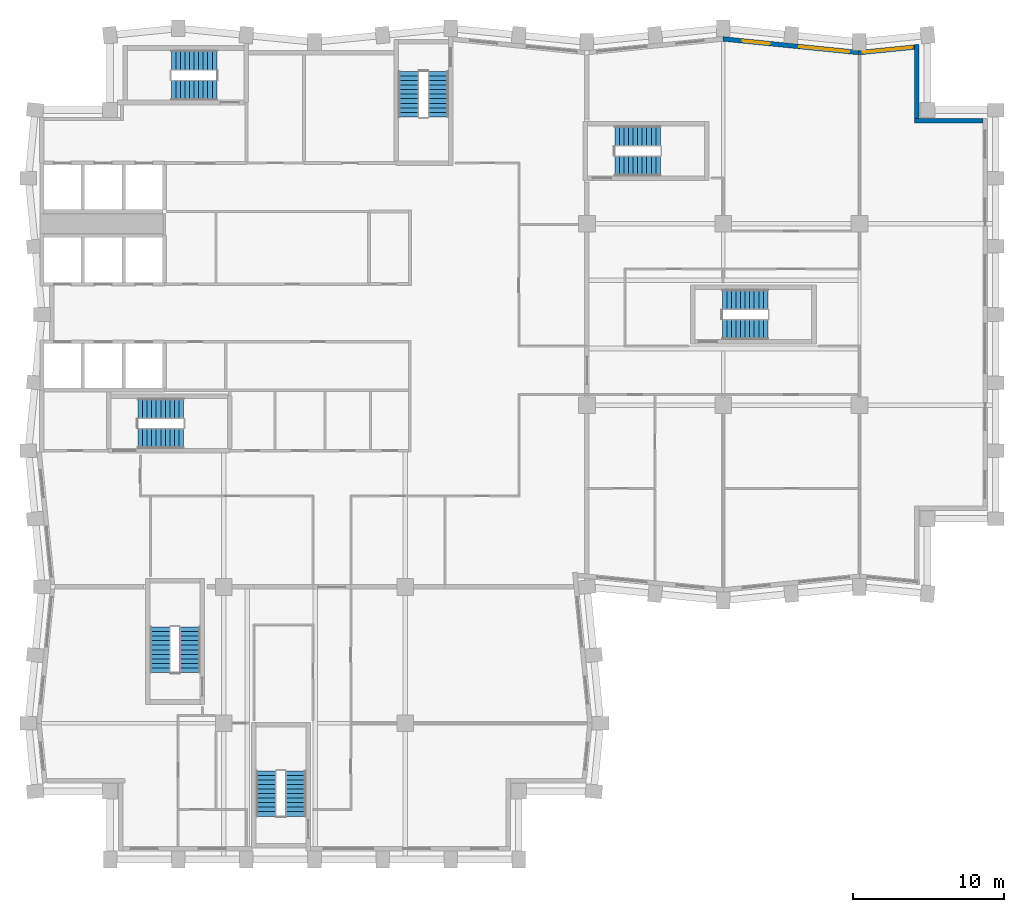
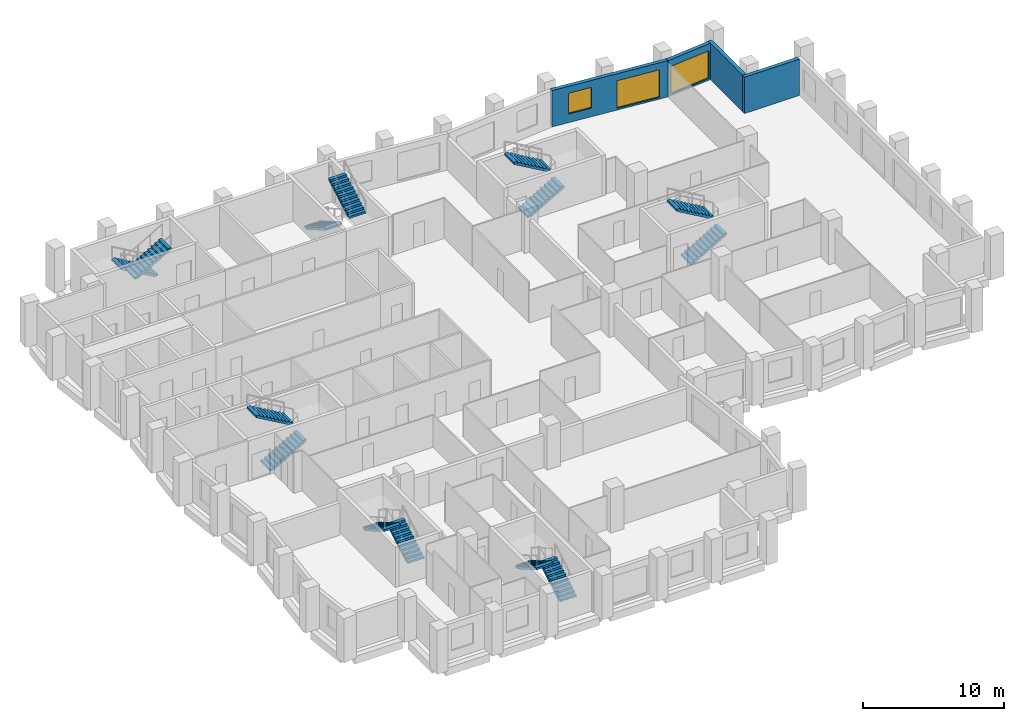
# One storey, part 8 of 10: 14 stair flights, 4 walls, 3 windows, 3 openings, 7 elements without a shape of their own.
"""IFC4 building model written with IfcOpenShell, lengths in metres."""

from ifc_helpers import new_model, si_unit, direction, frame, frame_2d, origin, place, context, subcontext, project, spatial, polyline, rectangle, outline, extrude, material, layer, layer_set, type_object, element, fill, aggregate, save


model = new_model("IFC4")

# Units and contexts
model_context = context("Model", 3, precision=1e-05, world=origin(), true_north=direction((0.0, 1.0)))
body_context = subcontext(model_context, "Body", "Model", "MODEL_VIEW")
ifc_project = project(units=[si_unit("LENGTHUNIT", "METRE"), si_unit("AREAUNIT", "SQUARE_METRE"), si_unit("VOLUMEUNIT", "CUBIC_METRE"), si_unit("PLANEANGLEUNIT", "RADIAN"), si_unit("MASSUNIT", "GRAM", prefix="KILO")], contexts=[model_context])

# Site, building, storey
site_placement = place(None, origin())
site = spatial("IfcSite", under=ifc_project, at=site_placement, CompositionType="ELEMENT")
building_placement = place(site_placement, origin())
building = spatial("IfcBuilding", under=site, at=building_placement, Name="Brondeck Convention Tower", CompositionType="ELEMENT")
storey_placement = place(building_placement, frame((0.0, 0.0, 166.199951171875)))
storey = spatial("IfcBuildingStorey", under=building, at=storey_placement, Name="L40", CompositionType="ELEMENT", Elevation=166.199951171875)

# Walls
ifc_material_1 = material(Name="Precast concrete C50/60 bronze finish", Category="concrete")
ifc_layer_1 = layer(ifc_material_1, 0.070068359375, Name="Bronze precast facing")
ifc_material_2 = material(Name="Mineral wool")
ifc_layer_2 = layer(ifc_material_2, 0.159912109375, Name="Insulation")
ifc_material_3 = material(Name="Concrete C35/45", Category="concrete")
ifc_layer_3 = layer(ifc_material_3, 0.070068359375, Name="Backing")
ifc_layer_set = layer_set([ifc_layer_1, ifc_layer_2, ifc_layer_3], Name="External infill wall, precast concrete C50/60 bronze facing")
wall_type = type_object("IfcWallType", Name="External infill wall, precast concrete C50/60 bronze facing", PredefinedType="SOLIDWALL", material=ifc_layer_set)
wall_1_placement = place(storey_placement, frame((57.64990234375, 57.800048828125, 0.0), z_axis=(0.0, 0.0, 1.0), x_axis=(1.0, 0.0, 0.0)))
element("IfcWall", 1, at=wall_1_placement, inside=storey, type_object=wall_type, Name="ENV-EW-L40-P1-NC-NEA63-01", PredefinedType="SOLIDWALL", context=body_context, shape_type="SweptSolid", body=[
    extrude(rectangle(XDim=4.502197265625, YDim=0.300048828125, at=frame_2d((2.2509765625, 0.0))), origin(), (0.0, 0.0, 1.0), 3.150146484375),
])
wall_2_placement = place(storey_placement, frame((57.800048828125, 62.84228515625, 0.0), z_axis=(0.0, 0.0, 1.0), x_axis=(0.0, -1.0, 0.0)))
element("IfcWall", 2, at=wall_2_placement, inside=storey, type_object=wall_type, Name="ENV-EW-L40-P1-NC-NEA63-02", PredefinedType="SOLIDWALL", context=body_context, shape_type="SweptSolid", body=[
    extrude(rectangle(XDim=4.894287109375, YDim=0.300048828125, at=frame_2d((2.447265625, 0.0))), origin(), (0.0, 0.0, 1.0), 3.150146484375),
])

# Wall, opening, window
wall_3_placement = place(storey_placement, frame((53.985107421875, 62.294921875, 0.0), z_axis=(0.0, 0.0, 1.0), x_axis=(0.99503719021, 0.099503719021, 0.0)))
wall_3 = element("IfcWall", 3, at=wall_3_placement, inside=storey, type_object=wall_type, Name="ENV-EW-L40-P1-A-N-12", PredefinedType="SOLIDWALL", context=body_context, shape_type="SweptSolid", body=[
    extrude(rectangle(XDim=3.677978515625, YDim=0.300048828125, at=frame_2d((1.8388671875, 0.0))), origin(), (0.0, 0.0, 1.0), 3.150146484375),
])
opening_1_placement = place(wall_3_placement, frame((0.22802734375, 0.0, 0.14990234375)))
opening_1 = element("IfcOpeningElement", 4, at=opening_1_placement, cuts=wall_3, Name="Opening W9", PredefinedType="OPENING", context=body_context, shape_type="SweptSolid", body=[
    extrude(rectangle(XDim=3.300048828125, YDim=2.39990234375, at=frame_2d((1.64990234375, 1.199951171875))), frame((0.0, 0.159912109375, 0.0), z_axis=(0.0, -1.0, 0.0), x_axis=(1.0, 0.0, 0.0)), (0.0, 0.0, 1.0), 0.320068359375),
])
ifc_material_4 = material(Name="Bronze tinted double glazing", Category="glass")
window_type_1 = type_object("IfcWindowType", Name="Glazed flute window, bronze tinted", PartitioningType="SINGLE_PANEL", PredefinedType="WINDOW", material=ifc_material_4)
window_1_placement = place(opening_1_placement, origin())
window_1 = element("IfcWindow", 5, at=window_1_placement, inside=storey, type_object=window_type_1, Name="ENV-WN-L40-P1-A-N-12", OverallHeight=2.39990234375, OverallWidth=3.300048828125, PartitioningType="SINGLE_PANEL", PredefinedType="WINDOW", context=body_context, shape_type="SweptSolid", body=[
    extrude(rectangle(XDim=3.300048828125, YDim=2.39990234375, at=frame_2d((1.64990234375, 1.199951171875))), frame((0.0, 0.030029296875, 0.0), z_axis=(0.0, -1.0, 0.0), x_axis=(1.0, 0.0, 0.0)), (0.0, 0.0, 1.0), 0.06005859375),
])
fill(opening_1, window_1)

# Wall, openings, windows
wall_4_placement = place(storey_placement, frame((44.985107421875, 63.197998046875, 0.0), z_axis=(0.0, 0.0, 1.0), x_axis=(0.995037993253, -0.099495688264, 0.0)))
wall_4 = element("IfcWall", 6, at=wall_4_placement, inside=storey, type_object=wall_type, Name="ENV-EW-L40-P1-A-N-11", PredefinedType="SOLIDWALL", context=body_context, shape_type="SweptSolid", body=[
    extrude(rectangle(XDim=9.030029296875, YDim=0.300048828125, at=frame_2d((4.51513671875, 0.0))), origin(), (0.0, 0.0, 1.0), 3.150146484375),
])
opening_2_placement = place(wall_4_placement, frame((1.30615234375, 0.0, 0.75)))
opening_2 = element("IfcOpeningElement", 7, at=opening_2_placement, cuts=wall_4, Name="Opening W10", PredefinedType="OPENING", context=body_context, shape_type="SweptSolid", body=[
    extrude(rectangle(XDim=1.800048828125, YDim=1.800048828125, at=frame_2d((0.89990234375, 0.89990234375))), frame((0.0, 0.159912109375, 0.0), z_axis=(0.0, -1.0, 0.0), x_axis=(1.0, 0.0, 0.0)), (0.0, 0.0, 1.0), 0.320068359375),
])
opening_3_placement = place(wall_4_placement, frame((5.07861328125, 0.0, 0.14990234375)))
opening_3 = element("IfcOpeningElement", 8, at=opening_3_placement, cuts=wall_4, Name="Opening W9", PredefinedType="OPENING", context=body_context, shape_type="SweptSolid", body=[
    extrude(rectangle(XDim=3.300048828125, YDim=2.39990234375, at=frame_2d((1.64990234375, 1.199951171875))), frame((0.0, 0.159912109375, 0.0), z_axis=(0.0, -1.0, 0.0), x_axis=(1.0, 0.0, 0.0)), (0.0, 0.0, 1.0), 0.320068359375),
])
window_2_placement = place(opening_3_placement, origin())
window_2 = element("IfcWindow", 9, at=window_2_placement, inside=storey, type_object=window_type_1, Name="ENV-WN-L40-P1-A-N-11", OverallHeight=2.39990234375, OverallWidth=3.300048828125, PartitioningType="SINGLE_PANEL", PredefinedType="WINDOW", context=body_context, shape_type="SweptSolid", body=[
    extrude(rectangle(XDim=3.300048828125, YDim=2.39990234375, at=frame_2d((1.64990234375, 1.199951171875))), frame((0.0, 0.030029296875, 0.0), z_axis=(0.0, -1.0, 0.0), x_axis=(1.0, 0.0, 0.0)), (0.0, 0.0, 1.0), 0.06005859375),
])
fill(opening_3, window_2)
window_type_2 = type_object("IfcWindowType", Name="Punched window, bronze tinted", PartitioningType="SINGLE_PANEL", PredefinedType="WINDOW", material=ifc_material_4)
window_3_placement = place(opening_2_placement, origin())
window_3 = element("IfcWindow", 10, at=window_3_placement, inside=storey, type_object=window_type_2, Name="ENV-WN-L40-P1-A-N-10", OverallHeight=1.800048828125, OverallWidth=1.800048828125, PartitioningType="SINGLE_PANEL", PredefinedType="WINDOW", context=body_context, shape_type="SweptSolid", body=[
    extrude(rectangle(XDim=1.800048828125, YDim=1.800048828125, at=frame_2d((0.89990234375, 0.89990234375))), frame((0.0, 0.030029296875, 0.0), z_axis=(0.0, -1.0, 0.0), x_axis=(1.0, 0.0, 0.0)), (0.0, 0.0, 1.0), 0.06005859375),
])
fill(opening_2, window_3)

# Stair, stair flights
ifc_material_5 = material(Name="Precast concrete C50/60", Category="concrete")
stair_type = type_object("IfcStairType", Name="Core stair 22 risers 172.73 mm riser 300 mm going 1350 wide", PredefinedType="HALF_TURN_STAIR", material=ifc_material_5)
stair_1_placement = place(storey_placement, origin())
stair_1 = element("IfcStair", 11, at=stair_1_placement, inside=storey, type_object=stair_type, Name="ST-1 L40 stair", PredefinedType="HALF_TURN_STAIR")
stair_flight_type = type_object("IfcStairFlightType", Name="Core stair flight 22 risers 172.73 mm riser 300 mm going 1350 wide", PredefinedType="STRAIGHT", material=ifc_material_5)
stair_flight_1_placement = place(storey_placement, frame((6.35009765625, 36.824951171875, 0.0), z_axis=(0.0, 0.0, 1.0), x_axis=(1.0, 0.0, 0.0)))
stair_flight_1 = element("IfcStairFlight", 12, at=stair_flight_1_placement, type_object=stair_flight_type, Name="ST-1 flight 1", NumberOfRisers=11, NumberOfTreads=10, PredefinedType="STRAIGHT", RiserHeight=0.172727273, TreadLength=0.3, context=body_context, shape_type="SweptSolid", body=[
    extrude(outline(polyline([(0.0, 0.0), (0.0, 0.172607421875), (0.300048828125, 0.172607421875), (0.300048828125, 0.345458984375), (0.60009765625, 0.345458984375), (0.60009765625, 0.51806640625), (0.89990234375, 0.51806640625), (0.89990234375, 0.69091796875), (1.199951171875, 0.69091796875), (1.199951171875, 0.863525390625), (1.5, 0.863525390625), (1.5, 1.036376953125), (1.800048828125, 1.036376953125), (1.800048828125, 1.208984375), (2.10009765625, 1.208984375), (2.10009765625, 1.3818359375), (2.39990234375, 1.3818359375), (2.39990234375, 1.554443359375), (2.699951171875, 1.554443359375), (2.699951171875, 1.727294921875), (3.0, 1.727294921875), (3.0, 1.89990234375), (3.0, 1.55419921875), (0.300537109375, 0.0), (0.0, 0.0)])), frame((0.0, 0.675048828125, 0.0), z_axis=(0.0, -1.0, 0.0), x_axis=(1.0, 0.0, 0.0)), (0.0, 0.0, 1.0), 1.35009765625),
])
stair_flight_2_placement = place(storey_placement, frame((9.35009765625, 38.77490234375, 1.900146484375), z_axis=(0.0, 0.0, 1.0), x_axis=(-1.0, 0.0, 0.0)))
stair_flight_2 = element("IfcStairFlight", 13, at=stair_flight_2_placement, type_object=stair_flight_type, Name="ST-1 flight 2", NumberOfRisers=11, NumberOfTreads=10, PredefinedType="STRAIGHT", RiserHeight=0.172727273, TreadLength=0.3, context=body_context, shape_type="SweptSolid", body=[
    extrude(outline(polyline([(0.0, 0.0), (0.0, 0.172607421875), (0.300048828125, 0.172607421875), (0.300048828125, 0.345458984375), (0.60009765625, 0.345458984375), (0.60009765625, 0.51806640625), (0.89990234375, 0.51806640625), (0.89990234375, 0.69091796875), (1.199951171875, 0.69091796875), (1.199951171875, 0.863525390625), (1.5, 0.863525390625), (1.5, 1.036376953125), (1.800048828125, 1.036376953125), (1.800048828125, 1.208984375), (2.10009765625, 1.208984375), (2.10009765625, 1.3818359375), (2.39990234375, 1.3818359375), (2.39990234375, 1.554443359375), (2.699951171875, 1.554443359375), (2.699951171875, 1.727294921875), (3.0, 1.727294921875), (3.0, 1.89990234375), (3.0, 1.55419921875), (0.300537109375, 0.0), (0.0, 0.0)])), frame((0.0, 0.675048828125, 0.0), z_axis=(0.0, -1.0, 0.0), x_axis=(1.0, 0.0, 0.0)), (0.0, 0.0, 1.0), 1.35009765625),
])
aggregate(stair_1, [stair_flight_1, stair_flight_2])

stair_2_placement = place(storey_placement, origin())
stair_2 = element("IfcStair", 14, at=stair_2_placement, inside=storey, type_object=stair_type, Name="ST-2 L40 stair", PredefinedType="HALF_TURN_STAIR")
stair_flight_3_placement = place(storey_placement, frame((24.22509765625, 61.050048828125, 0.0), z_axis=(0.0, 0.0, 1.0), x_axis=(0.0, -1.0, 0.0)))
stair_flight_3 = element("IfcStairFlight", 15, at=stair_flight_3_placement, type_object=stair_flight_type, Name="ST-2 flight 1", NumberOfRisers=11, NumberOfTreads=10, PredefinedType="STRAIGHT", RiserHeight=0.172727273, TreadLength=0.3, context=body_context, shape_type="SweptSolid", body=[
    extrude(outline(polyline([(0.0, 0.0), (0.0, 0.172607421875), (0.300048828125, 0.172607421875), (0.300048828125, 0.345458984375), (0.60009765625, 0.345458984375), (0.60009765625, 0.51806640625), (0.89990234375, 0.51806640625), (0.89990234375, 0.69091796875), (1.199951171875, 0.69091796875), (1.199951171875, 0.863525390625), (1.5, 0.863525390625), (1.5, 1.036376953125), (1.800048828125, 1.036376953125), (1.800048828125, 1.208984375), (2.10009765625, 1.208984375), (2.10009765625, 1.3818359375), (2.39990234375, 1.3818359375), (2.39990234375, 1.554443359375), (2.699951171875, 1.554443359375), (2.699951171875, 1.727294921875), (3.0, 1.727294921875), (3.0, 1.89990234375), (3.0, 1.55419921875), (0.300537109375, 0.0), (0.0, 0.0)])), frame((0.0, 0.675048828125, 0.0), z_axis=(0.0, -1.0, 0.0), x_axis=(1.0, 0.0, 0.0)), (0.0, 0.0, 1.0), 1.35009765625),
])
stair_flight_4_placement = place(storey_placement, frame((26.175048828125, 58.050048828125, 1.900146484375), z_axis=(0.0, 0.0, 1.0), x_axis=(0.0, 1.0, 0.0)))
stair_flight_4 = element("IfcStairFlight", 16, at=stair_flight_4_placement, type_object=stair_flight_type, Name="ST-2 flight 2", NumberOfRisers=11, NumberOfTreads=10, PredefinedType="STRAIGHT", RiserHeight=0.172727273, TreadLength=0.3, context=body_context, shape_type="SweptSolid", body=[
    extrude(outline(polyline([(0.0, 0.0), (0.0, 0.172607421875), (0.300048828125, 0.172607421875), (0.300048828125, 0.345458984375), (0.60009765625, 0.345458984375), (0.60009765625, 0.51806640625), (0.89990234375, 0.51806640625), (0.89990234375, 0.69091796875), (1.199951171875, 0.69091796875), (1.199951171875, 0.863525390625), (1.5, 0.863525390625), (1.5, 1.036376953125), (1.800048828125, 1.036376953125), (1.800048828125, 1.208984375), (2.10009765625, 1.208984375), (2.10009765625, 1.3818359375), (2.39990234375, 1.3818359375), (2.39990234375, 1.554443359375), (2.699951171875, 1.554443359375), (2.699951171875, 1.727294921875), (3.0, 1.727294921875), (3.0, 1.89990234375), (3.0, 1.55419921875), (0.300537109375, 0.0), (0.0, 0.0)])), frame((0.0, 0.675048828125, 0.0), z_axis=(0.0, -1.0, 0.0), x_axis=(1.0, 0.0, 0.0)), (0.0, 0.0, 1.0), 1.35009765625),
])
aggregate(stair_2, [stair_flight_3, stair_flight_4])

stair_3_placement = place(storey_placement, origin())
stair_3 = element("IfcStair", 17, at=stair_3_placement, inside=storey, type_object=stair_type, Name="ST-3 L40 stair", PredefinedType="HALF_TURN_STAIR")
stair_flight_5_placement = place(storey_placement, frame((11.550048828125, 61.77490234375, 0.0), z_axis=(0.0, 0.0, 1.0), x_axis=(-1.0, 0.0, 0.0)))
stair_flight_5 = element("IfcStairFlight", 18, at=stair_flight_5_placement, type_object=stair_flight_type, Name="ST-3 flight 1", NumberOfRisers=11, NumberOfTreads=10, PredefinedType="STRAIGHT", RiserHeight=0.172727273, TreadLength=0.3, context=body_context, shape_type="SweptSolid", body=[
    extrude(outline(polyline([(0.0, 0.0), (0.0, 0.172607421875), (0.300048828125, 0.172607421875), (0.300048828125, 0.345458984375), (0.60009765625, 0.345458984375), (0.60009765625, 0.51806640625), (0.89990234375, 0.51806640625), (0.89990234375, 0.69091796875), (1.199951171875, 0.69091796875), (1.199951171875, 0.863525390625), (1.5, 0.863525390625), (1.5, 1.036376953125), (1.800048828125, 1.036376953125), (1.800048828125, 1.208984375), (2.10009765625, 1.208984375), (2.10009765625, 1.3818359375), (2.39990234375, 1.3818359375), (2.39990234375, 1.554443359375), (2.699951171875, 1.554443359375), (2.699951171875, 1.727294921875), (3.0, 1.727294921875), (3.0, 1.89990234375), (3.0, 1.55419921875), (0.300537109375, 0.0), (0.0, 0.0)])), frame((0.0, 0.675048828125, 0.0), z_axis=(0.0, -1.0, 0.0), x_axis=(1.0, 0.0, 0.0)), (0.0, 0.0, 1.0), 1.35009765625),
])
stair_flight_6_placement = place(storey_placement, frame((8.550048828125, 59.824951171875, 1.900146484375), z_axis=(0.0, 0.0, 1.0), x_axis=(1.0, 0.0, 0.0)))
stair_flight_6 = element("IfcStairFlight", 19, at=stair_flight_6_placement, type_object=stair_flight_type, Name="ST-3 flight 2", NumberOfRisers=11, NumberOfTreads=10, PredefinedType="STRAIGHT", RiserHeight=0.172727273, TreadLength=0.3, context=body_context, shape_type="SweptSolid", body=[
    extrude(outline(polyline([(0.0, 0.0), (0.0, 0.172607421875), (0.300048828125, 0.172607421875), (0.300048828125, 0.345458984375), (0.60009765625, 0.345458984375), (0.60009765625, 0.51806640625), (0.89990234375, 0.51806640625), (0.89990234375, 0.69091796875), (1.199951171875, 0.69091796875), (1.199951171875, 0.863525390625), (1.5, 0.863525390625), (1.5, 1.036376953125), (1.800048828125, 1.036376953125), (1.800048828125, 1.208984375), (2.10009765625, 1.208984375), (2.10009765625, 1.3818359375), (2.39990234375, 1.3818359375), (2.39990234375, 1.554443359375), (2.699951171875, 1.554443359375), (2.699951171875, 1.727294921875), (3.0, 1.727294921875), (3.0, 1.89990234375), (3.0, 1.55419921875), (0.300537109375, 0.0), (0.0, 0.0)])), frame((0.0, 0.675048828125, 0.0), z_axis=(0.0, -1.0, 0.0), x_axis=(1.0, 0.0, 0.0)), (0.0, 0.0, 1.0), 1.35009765625),
])
aggregate(stair_3, [stair_flight_5, stair_flight_6])

stair_4_placement = place(storey_placement, origin())
stair_4 = element("IfcStair", 20, at=stair_4_placement, inside=storey, type_object=stair_type, Name="ST-AE L40 stair", PredefinedType="HALF_TURN_STAIR")
stair_flight_7_placement = place(storey_placement, frame((37.85009765625, 54.824951171875, 0.0), z_axis=(0.0, 0.0, 1.0), x_axis=(1.0, 0.0, 0.0)))
stair_flight_7 = element("IfcStairFlight", 21, at=stair_flight_7_placement, type_object=stair_flight_type, Name="ST-AE flight 1", NumberOfRisers=11, NumberOfTreads=10, PredefinedType="STRAIGHT", RiserHeight=0.172727273, TreadLength=0.3, context=body_context, shape_type="SweptSolid", body=[
    extrude(outline(polyline([(0.0, 0.0), (0.0, 0.172607421875), (0.300048828125, 0.172607421875), (0.300048828125, 0.345458984375), (0.60009765625, 0.345458984375), (0.60009765625, 0.51806640625), (0.89990234375, 0.51806640625), (0.89990234375, 0.69091796875), (1.199951171875, 0.69091796875), (1.199951171875, 0.863525390625), (1.5, 0.863525390625), (1.5, 1.036376953125), (1.800048828125, 1.036376953125), (1.800048828125, 1.208984375), (2.10009765625, 1.208984375), (2.10009765625, 1.3818359375), (2.39990234375, 1.3818359375), (2.39990234375, 1.554443359375), (2.699951171875, 1.554443359375), (2.699951171875, 1.727294921875), (3.0, 1.727294921875), (3.0, 1.89990234375), (3.0, 1.55419921875), (0.300537109375, 0.0), (0.0, 0.0)])), frame((0.0, 0.675048828125, 0.0), z_axis=(0.0, -1.0, 0.0), x_axis=(1.0, 0.0, 0.0)), (0.0, 0.0, 1.0), 1.35009765625),
])
stair_flight_8_placement = place(storey_placement, frame((40.85009765625, 56.77490234375, 1.900146484375), z_axis=(0.0, 0.0, 1.0), x_axis=(-1.0, 0.0, 0.0)))
stair_flight_8 = element("IfcStairFlight", 22, at=stair_flight_8_placement, type_object=stair_flight_type, Name="ST-AE flight 2", NumberOfRisers=11, NumberOfTreads=10, PredefinedType="STRAIGHT", RiserHeight=0.172727273, TreadLength=0.3, context=body_context, shape_type="SweptSolid", body=[
    extrude(outline(polyline([(0.0, 0.0), (0.0, 0.172607421875), (0.300048828125, 0.172607421875), (0.300048828125, 0.345458984375), (0.60009765625, 0.345458984375), (0.60009765625, 0.51806640625), (0.89990234375, 0.51806640625), (0.89990234375, 0.69091796875), (1.199951171875, 0.69091796875), (1.199951171875, 0.863525390625), (1.5, 0.863525390625), (1.5, 1.036376953125), (1.800048828125, 1.036376953125), (1.800048828125, 1.208984375), (2.10009765625, 1.208984375), (2.10009765625, 1.3818359375), (2.39990234375, 1.3818359375), (2.39990234375, 1.554443359375), (2.699951171875, 1.554443359375), (2.699951171875, 1.727294921875), (3.0, 1.727294921875), (3.0, 1.89990234375), (3.0, 1.55419921875), (0.300537109375, 0.0), (0.0, 0.0)])), frame((0.0, 0.675048828125, 0.0), z_axis=(0.0, -1.0, 0.0), x_axis=(1.0, 0.0, 0.0)), (0.0, 0.0, 1.0), 1.35009765625),
])
aggregate(stair_4, [stair_flight_7, stair_flight_8])

stair_5_placement = place(storey_placement, origin())
stair_5 = element("IfcStair", 23, at=stair_5_placement, inside=storey, type_object=stair_type, Name="ST-BE L40 stair", PredefinedType="HALF_TURN_STAIR")
stair_flight_9_placement = place(storey_placement, frame((9.77490234375, 21.35009765625, 0.0), z_axis=(0.0, 0.0, 1.0), x_axis=(0.0, 1.0, 0.0)))
stair_flight_9 = element("IfcStairFlight", 24, at=stair_flight_9_placement, type_object=stair_flight_type, Name="ST-BE flight 1", NumberOfRisers=11, NumberOfTreads=10, PredefinedType="STRAIGHT", RiserHeight=0.172727273, TreadLength=0.3, context=body_context, shape_type="SweptSolid", body=[
    extrude(outline(polyline([(0.0, 0.0), (0.0, 0.172607421875), (0.300048828125, 0.172607421875), (0.300048828125, 0.345458984375), (0.60009765625, 0.345458984375), (0.60009765625, 0.51806640625), (0.89990234375, 0.51806640625), (0.89990234375, 0.69091796875), (1.199951171875, 0.69091796875), (1.199951171875, 0.863525390625), (1.5, 0.863525390625), (1.5, 1.036376953125), (1.800048828125, 1.036376953125), (1.800048828125, 1.208984375), (2.10009765625, 1.208984375), (2.10009765625, 1.3818359375), (2.39990234375, 1.3818359375), (2.39990234375, 1.554443359375), (2.699951171875, 1.554443359375), (2.699951171875, 1.727294921875), (3.0, 1.727294921875), (3.0, 1.89990234375), (3.0, 1.55419921875), (0.300537109375, 0.0), (0.0, 0.0)])), frame((0.0, 0.675048828125, 0.0), z_axis=(0.0, -1.0, 0.0), x_axis=(1.0, 0.0, 0.0)), (0.0, 0.0, 1.0), 1.35009765625),
])
stair_flight_10_placement = place(storey_placement, frame((7.824951171875, 24.35009765625, 1.900146484375), z_axis=(0.0, 0.0, 1.0), x_axis=(0.0, -1.0, 0.0)))
stair_flight_10 = element("IfcStairFlight", 25, at=stair_flight_10_placement, type_object=stair_flight_type, Name="ST-BE flight 2", NumberOfRisers=11, NumberOfTreads=10, PredefinedType="STRAIGHT", RiserHeight=0.172727273, TreadLength=0.3, context=body_context, shape_type="SweptSolid", body=[
    extrude(outline(polyline([(0.0, 0.0), (0.0, 0.172607421875), (0.300048828125, 0.172607421875), (0.300048828125, 0.345458984375), (0.60009765625, 0.345458984375), (0.60009765625, 0.51806640625), (0.89990234375, 0.51806640625), (0.89990234375, 0.69091796875), (1.199951171875, 0.69091796875), (1.199951171875, 0.863525390625), (1.5, 0.863525390625), (1.5, 1.036376953125), (1.800048828125, 1.036376953125), (1.800048828125, 1.208984375), (2.10009765625, 1.208984375), (2.10009765625, 1.3818359375), (2.39990234375, 1.3818359375), (2.39990234375, 1.554443359375), (2.699951171875, 1.554443359375), (2.699951171875, 1.727294921875), (3.0, 1.727294921875), (3.0, 1.89990234375), (3.0, 1.55419921875), (0.300537109375, 0.0), (0.0, 0.0)])), frame((0.0, 0.675048828125, 0.0), z_axis=(0.0, -1.0, 0.0), x_axis=(1.0, 0.0, 0.0)), (0.0, 0.0, 1.0), 1.35009765625),
])
aggregate(stair_5, [stair_flight_9, stair_flight_10])

stair_6_placement = place(storey_placement, origin())
stair_6 = element("IfcStair", 26, at=stair_6_placement, inside=storey, type_object=stair_type, Name="ST-AF L40 stair", PredefinedType="HALF_TURN_STAIR")
stair_flight_11_placement = place(storey_placement, frame((44.949951171875, 44.02490234375, 0.0), z_axis=(0.0, 0.0, 1.0), x_axis=(1.0, 0.0, 0.0)))
stair_flight_11 = element("IfcStairFlight", 27, at=stair_flight_11_placement, type_object=stair_flight_type, Name="ST-AF flight 1", NumberOfRisers=11, NumberOfTreads=10, PredefinedType="STRAIGHT", RiserHeight=0.172727273, TreadLength=0.3, context=body_context, shape_type="SweptSolid", body=[
    extrude(outline(polyline([(0.0, 0.0), (0.0, 0.172607421875), (0.300048828125, 0.172607421875), (0.300048828125, 0.345458984375), (0.60009765625, 0.345458984375), (0.60009765625, 0.51806640625), (0.89990234375, 0.51806640625), (0.89990234375, 0.69091796875), (1.199951171875, 0.69091796875), (1.199951171875, 0.863525390625), (1.5, 0.863525390625), (1.5, 1.036376953125), (1.800048828125, 1.036376953125), (1.800048828125, 1.208984375), (2.10009765625, 1.208984375), (2.10009765625, 1.3818359375), (2.39990234375, 1.3818359375), (2.39990234375, 1.554443359375), (2.699951171875, 1.554443359375), (2.699951171875, 1.727294921875), (3.0, 1.727294921875), (3.0, 1.89990234375), (3.0, 1.55419921875), (0.300537109375, 0.0), (0.0, 0.0)])), frame((0.0, 0.675048828125, 0.0), z_axis=(0.0, -1.0, 0.0), x_axis=(1.0, 0.0, 0.0)), (0.0, 0.0, 1.0), 1.35009765625),
])
stair_flight_12_placement = place(storey_placement, frame((47.949951171875, 45.97509765625, 1.900146484375), z_axis=(0.0, 0.0, 1.0), x_axis=(-1.0, 0.0, 0.0)))
stair_flight_12 = element("IfcStairFlight", 28, at=stair_flight_12_placement, type_object=stair_flight_type, Name="ST-AF flight 2", NumberOfRisers=11, NumberOfTreads=10, PredefinedType="STRAIGHT", RiserHeight=0.172727273, TreadLength=0.3, context=body_context, shape_type="SweptSolid", body=[
    extrude(outline(polyline([(0.0, 0.0), (0.0, 0.172607421875), (0.300048828125, 0.172607421875), (0.300048828125, 0.345458984375), (0.60009765625, 0.345458984375), (0.60009765625, 0.51806640625), (0.89990234375, 0.51806640625), (0.89990234375, 0.69091796875), (1.199951171875, 0.69091796875), (1.199951171875, 0.863525390625), (1.5, 0.863525390625), (1.5, 1.036376953125), (1.800048828125, 1.036376953125), (1.800048828125, 1.208984375), (2.10009765625, 1.208984375), (2.10009765625, 1.3818359375), (2.39990234375, 1.3818359375), (2.39990234375, 1.554443359375), (2.699951171875, 1.554443359375), (2.699951171875, 1.727294921875), (3.0, 1.727294921875), (3.0, 1.89990234375), (3.0, 1.55419921875), (0.300537109375, 0.0), (0.0, 0.0)])), frame((0.0, 0.675048828125, 0.0), z_axis=(0.0, -1.0, 0.0), x_axis=(1.0, 0.0, 0.0)), (0.0, 0.0, 1.0), 1.35009765625),
])
aggregate(stair_6, [stair_flight_11, stair_flight_12])

stair_7_placement = place(storey_placement, origin())
stair_7 = element("IfcStair", 29, at=stair_7_placement, inside=storey, type_object=stair_type, Name="ST-BF L40 stair", PredefinedType="HALF_TURN_STAIR")
stair_flight_13_placement = place(storey_placement, frame((16.77490234375, 11.85009765625, 0.0), z_axis=(0.0, 0.0, 1.0), x_axis=(0.0, 1.0, 0.0)))
stair_flight_13 = element("IfcStairFlight", 30, at=stair_flight_13_placement, type_object=stair_flight_type, Name="ST-BF flight 1", NumberOfRisers=11, NumberOfTreads=10, PredefinedType="STRAIGHT", RiserHeight=0.172727273, TreadLength=0.3, context=body_context, shape_type="SweptSolid", body=[
    extrude(outline(polyline([(0.0, 0.0), (0.0, 0.172607421875), (0.300048828125, 0.172607421875), (0.300048828125, 0.345458984375), (0.60009765625, 0.345458984375), (0.60009765625, 0.51806640625), (0.89990234375, 0.51806640625), (0.89990234375, 0.69091796875), (1.199951171875, 0.69091796875), (1.199951171875, 0.863525390625), (1.5, 0.863525390625), (1.5, 1.036376953125), (1.800048828125, 1.036376953125), (1.800048828125, 1.208984375), (2.10009765625, 1.208984375), (2.10009765625, 1.3818359375), (2.39990234375, 1.3818359375), (2.39990234375, 1.554443359375), (2.699951171875, 1.554443359375), (2.699951171875, 1.727294921875), (3.0, 1.727294921875), (3.0, 1.89990234375), (3.0, 1.55419921875), (0.300537109375, 0.0), (0.0, 0.0)])), frame((0.0, 0.675048828125, 0.0), z_axis=(0.0, -1.0, 0.0), x_axis=(1.0, 0.0, 0.0)), (0.0, 0.0, 1.0), 1.35009765625),
])
stair_flight_14_placement = place(storey_placement, frame((14.824951171875, 14.85009765625, 1.900146484375), z_axis=(0.0, 0.0, 1.0), x_axis=(0.0, -1.0, 0.0)))
stair_flight_14 = element("IfcStairFlight", 31, at=stair_flight_14_placement, type_object=stair_flight_type, Name="ST-BF flight 2", NumberOfRisers=11, NumberOfTreads=10, PredefinedType="STRAIGHT", RiserHeight=0.172727273, TreadLength=0.3, context=body_context, shape_type="SweptSolid", body=[
    extrude(outline(polyline([(0.0, 0.0), (0.0, 0.172607421875), (0.300048828125, 0.172607421875), (0.300048828125, 0.345458984375), (0.60009765625, 0.345458984375), (0.60009765625, 0.51806640625), (0.89990234375, 0.51806640625), (0.89990234375, 0.69091796875), (1.199951171875, 0.69091796875), (1.199951171875, 0.863525390625), (1.5, 0.863525390625), (1.5, 1.036376953125), (1.800048828125, 1.036376953125), (1.800048828125, 1.208984375), (2.10009765625, 1.208984375), (2.10009765625, 1.3818359375), (2.39990234375, 1.3818359375), (2.39990234375, 1.554443359375), (2.699951171875, 1.554443359375), (2.699951171875, 1.727294921875), (3.0, 1.727294921875), (3.0, 1.89990234375), (3.0, 1.55419921875), (0.300537109375, 0.0), (0.0, 0.0)])), frame((0.0, 0.675048828125, 0.0), z_axis=(0.0, -1.0, 0.0), x_axis=(1.0, 0.0, 0.0)), (0.0, 0.0, 1.0), 1.35009765625),
])
aggregate(stair_7, [stair_flight_13, stair_flight_14])

save(model, "model.ifc")
